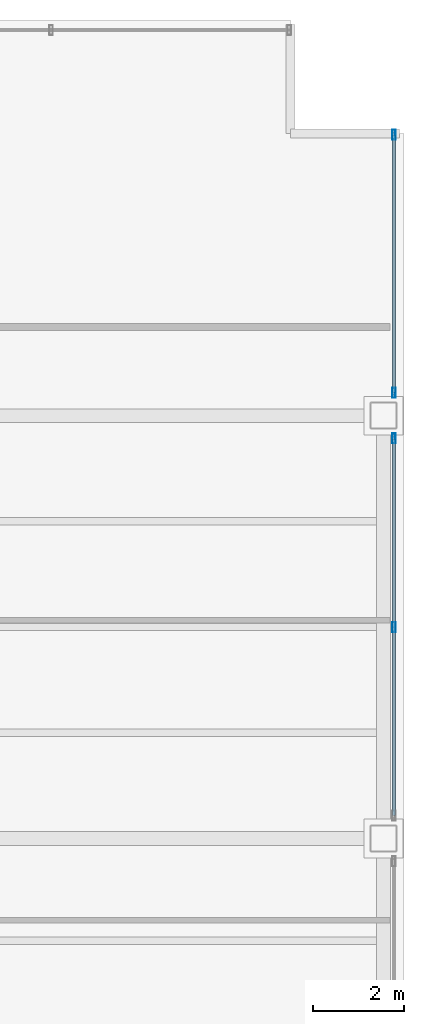
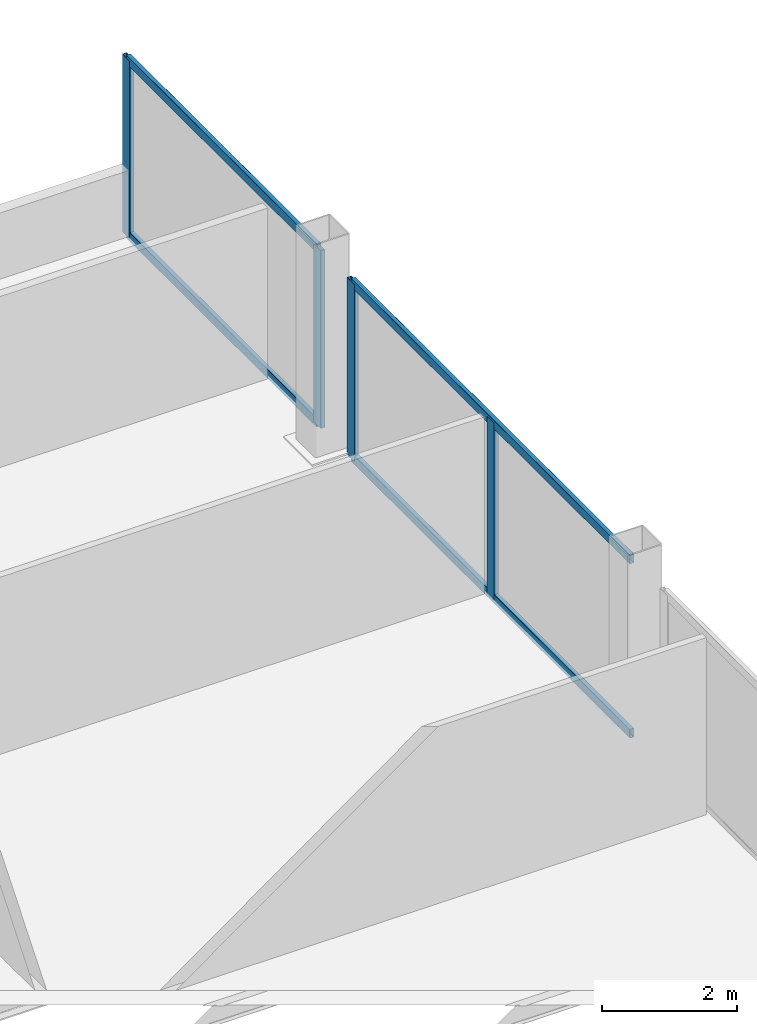
# One storey, part 12 of 20: 8 members, 2 elements without a shape of their own.
"""IFC4 building model written with IfcOpenShell, lengths in metres."""

from ifc_helpers import new_model, si_unit, direction, frame, origin, origin_2d, place, context, subcontext, project, spatial, hollow_rectangle, extrude, material, material_profile, profile_set, type_object, element, aggregate, save


model = new_model("IFC4")

# Units and contexts
model_context = context("Model", 3, precision=1e-05, world=origin(), true_north=direction((0.0, 1.0)))
body_context = subcontext(model_context, "Body", "Model", "MODEL_VIEW")
ifc_project = project(units=[si_unit("LENGTHUNIT", "METRE"), si_unit("AREAUNIT", "SQUARE_METRE"), si_unit("VOLUMEUNIT", "CUBIC_METRE"), si_unit("PLANEANGLEUNIT", "RADIAN"), si_unit("MASSUNIT", "GRAM", prefix="KILO")], contexts=[model_context])

# Site, building, storey
site_placement = place(None, origin())
site = spatial("IfcSite", under=ifc_project, at=site_placement, CompositionType="ELEMENT")
building_placement = place(site_placement, origin())
building = spatial("IfcBuilding", under=site, at=building_placement, Name="Noeulbin Bourse Tower", CompositionType="ELEMENT")
storey_placement = place(building_placement, frame((0.0, 0.0, 57.699951171875)))
storey = spatial("IfcBuildingStorey", under=building, at=storey_placement, Name="L14", CompositionType="ELEMENT", Elevation=57.699951171875)

# Curtain wall, members
ifc_material_1 = material(Name="Dark Solar-Control Double Glazing", Category="glass")
curtain_wall_type = type_object("IfcCurtainWallType", Name="CW-SYS-2", PredefinedType="NOTDEFINED", material=ifc_material_1)
curtain_wall_1_placement = place(storey_placement, origin())
curtain_wall_1 = element("IfcCurtainWall", 1, at=curtain_wall_1_placement, inside=storey, type_object=curtain_wall_type, Name="Unitised Curtain Wall CW-L14-E-S3", PredefinedType="NOTDEFINED")
ifc_material_2 = material(Name="Anodised Aluminium 6063-T6", Category="aluminium")
ifc_material_profile_1 = material_profile(ifc_material_2, hollow_rectangle(XDim=0.074951171875, YDim=0.219970703125, WallThickness=0.0048828125, InnerFilletRadius=0.00244140625, OuterFilletRadius=0.0048828125, at=origin_2d()), Name="ALU-MULL-75x220x5", Category="LoadBearing")
ifc_profile_set_1 = profile_set([ifc_material_profile_1], Name="Anodised Aluminium 6063-T6")
member_type_1 = type_object("IfcMemberType", Name="CW-SYS-2-MUL", PredefinedType="MULLION", material=ifc_profile_set_1)
member_1_placement = place(storey_placement, frame((57.280029296875, 33.64990234375, -0.02001953125), z_axis=(0.0, 0.0, 1.0), x_axis=(1.0, 0.0, 0.0)))
member_1 = element("IfcMember", 2, at=member_1_placement, type_object=member_type_1, Name="Curtain Wall Mullion CW-L14-E-S3-M01", PredefinedType="MULLION", context=body_context, shape_type="SweptSolid", body=[
    extrude(hollow_rectangle(XDim=0.074951171875, YDim=0.219970703125, WallThickness=0.0048828125, InnerFilletRadius=0.00244140625, OuterFilletRadius=0.0048828125, at=origin_2d()), origin(), (0.0, 0.0, 1.0), 3.219970703125),
])
member_2_placement = place(storey_placement, frame((57.280029296875, 37.800048828125, -0.02001953125), z_axis=(0.0, 0.0, 1.0), x_axis=(1.0, 0.0, 0.0)))
member_2 = element("IfcMember", 3, at=member_2_placement, type_object=member_type_1, Name="Curtain Wall Mullion CW-L14-E-S3-M02", PredefinedType="MULLION", context=body_context, shape_type="SweptSolid", body=[
    extrude(hollow_rectangle(XDim=0.074951171875, YDim=0.219970703125, WallThickness=0.0048828125, InnerFilletRadius=0.00244140625, OuterFilletRadius=0.0048828125, at=origin_2d()), origin(), (0.0, 0.0, 1.0), 3.219970703125),
])

curtain_wall_2_placement = place(storey_placement, origin())
curtain_wall_2 = element("IfcCurtainWall", 4, at=curtain_wall_2_placement, inside=storey, type_object=curtain_wall_type, Name="Unitised Curtain Wall CW-L14-E-S4", PredefinedType="NOTDEFINED")
member_3_placement = place(storey_placement, frame((57.280029296875, 38.800048828125, -0.02001953125), z_axis=(0.0, 0.0, 1.0), x_axis=(1.0, 0.0, 0.0)))
member_3 = element("IfcMember", 5, at=member_3_placement, type_object=member_type_1, Name="Curtain Wall Mullion CW-L14-E-S4-M00", PredefinedType="MULLION", context=body_context, shape_type="SweptSolid", body=[
    extrude(hollow_rectangle(XDim=0.074951171875, YDim=0.219970703125, WallThickness=0.0048828125, InnerFilletRadius=0.00244140625, OuterFilletRadius=0.0048828125, at=origin_2d()), origin(), (0.0, 0.0, 1.0), 3.219970703125),
])
member_4_placement = place(storey_placement, frame((57.280029296875, 44.47998046875, -0.02001953125), z_axis=(0.0, 0.0, 1.0), x_axis=(1.0, 0.0, 0.0)))
member_4 = element("IfcMember", 6, at=member_4_placement, type_object=member_type_1, Name="Curtain Wall Mullion CW-L14-E-S4-M01", PredefinedType="MULLION", context=body_context, shape_type="SweptSolid", body=[
    extrude(hollow_rectangle(XDim=0.074951171875, YDim=0.219970703125, WallThickness=0.0048828125, InnerFilletRadius=0.00244140625, OuterFilletRadius=0.0048828125, at=origin_2d()), origin(), (0.0, 0.0, 1.0), 3.219970703125),
])

# Member
ifc_material_profile_2 = material_profile(ifc_material_2, hollow_rectangle(XDim=0.074951171875, YDim=0.159912109375, WallThickness=0.0048828125, InnerFilletRadius=0.00244140625, OuterFilletRadius=0.0048828125, at=origin_2d()), Name="ALU-TRAN-75x160x5", Category="LoadBearing")
ifc_profile_set_2 = profile_set([ifc_material_profile_2], Name="Anodised Aluminium 6063-T6")
member_type_2 = type_object("IfcMemberType", Name="CW-SYS-2-TRN", PredefinedType="USERDEFINED", material=ifc_profile_set_2)
member_5_placement = place(storey_placement, frame((57.280029296875, 29.510009765625, 0.010009765625), z_axis=(0.0, 1.0, 0.0), x_axis=(-1.0, 0.0, 0.0)))
member_5 = element("IfcMember", 7, at=member_5_placement, type_object=member_type_2, Name="Curtain Wall Transom CW-L14-E-S3-T00", ObjectType="TRANSOM", PredefinedType="USERDEFINED", context=body_context, shape_type="SweptSolid", body=[
    extrude(hollow_rectangle(XDim=0.074951171875, YDim=0.159912109375, WallThickness=0.0048828125, InnerFilletRadius=0.00244140625, OuterFilletRadius=0.0048828125, at=origin_2d()), origin(), (0.0, 0.0, 1.0), 8.280029296875),
])

member_6_placement = place(storey_placement, frame((57.280029296875, 29.510009765625, 3.170166015625), z_axis=(0.0, 1.0, 0.0), x_axis=(-1.0, 0.0, 0.0)))
member_6 = element("IfcMember", 8, at=member_6_placement, type_object=member_type_2, Name="Curtain Wall Transom CW-L14-E-S3-T01", ObjectType="TRANSOM", PredefinedType="USERDEFINED", context=body_context, shape_type="SweptSolid", body=[
    extrude(hollow_rectangle(XDim=0.074951171875, YDim=0.159912109375, WallThickness=0.0048828125, InnerFilletRadius=0.00244140625, OuterFilletRadius=0.0048828125, at=origin_2d()), origin(), (0.0, 0.0, 1.0), 8.280029296875),
])

aggregate(curtain_wall_1, [member_1, member_2, member_5, member_6])

member_7_placement = place(storey_placement, frame((57.280029296875, 38.81005859375, 0.010009765625), z_axis=(0.0, 1.0, 0.0), x_axis=(-1.0, 0.0, 0.0)))
member_7 = element("IfcMember", 9, at=member_7_placement, type_object=member_type_2, Name="Curtain Wall Transom CW-L14-E-S4-T00", ObjectType="TRANSOM", PredefinedType="USERDEFINED", context=body_context, shape_type="SweptSolid", body=[
    extrude(hollow_rectangle(XDim=0.074951171875, YDim=0.159912109375, WallThickness=0.0048828125, InnerFilletRadius=0.00244140625, OuterFilletRadius=0.0048828125, at=origin_2d()), origin(), (0.0, 0.0, 1.0), 5.659912109375),
])

member_8_placement = place(storey_placement, frame((57.280029296875, 38.81005859375, 3.170166015625), z_axis=(0.0, 1.0, 0.0), x_axis=(-1.0, 0.0, 0.0)))
member_8 = element("IfcMember", 10, at=member_8_placement, type_object=member_type_2, Name="Curtain Wall Transom CW-L14-E-S4-T01", ObjectType="TRANSOM", PredefinedType="USERDEFINED", context=body_context, shape_type="SweptSolid", body=[
    extrude(hollow_rectangle(XDim=0.074951171875, YDim=0.159912109375, WallThickness=0.0048828125, InnerFilletRadius=0.00244140625, OuterFilletRadius=0.0048828125, at=origin_2d()), origin(), (0.0, 0.0, 1.0), 5.659912109375),
])

aggregate(curtain_wall_2, [member_3, member_4, member_7, member_8])

save(model, "model.ifc")
